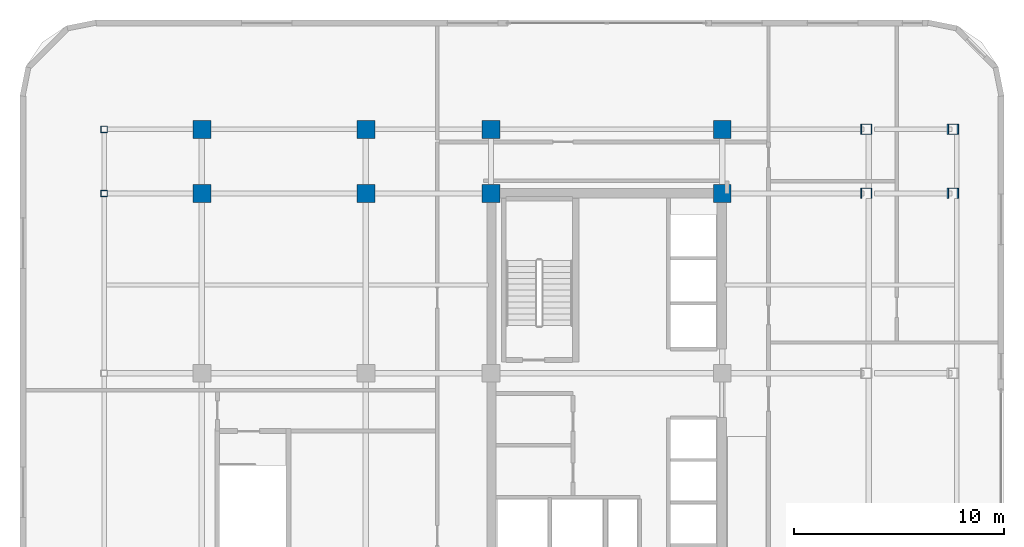
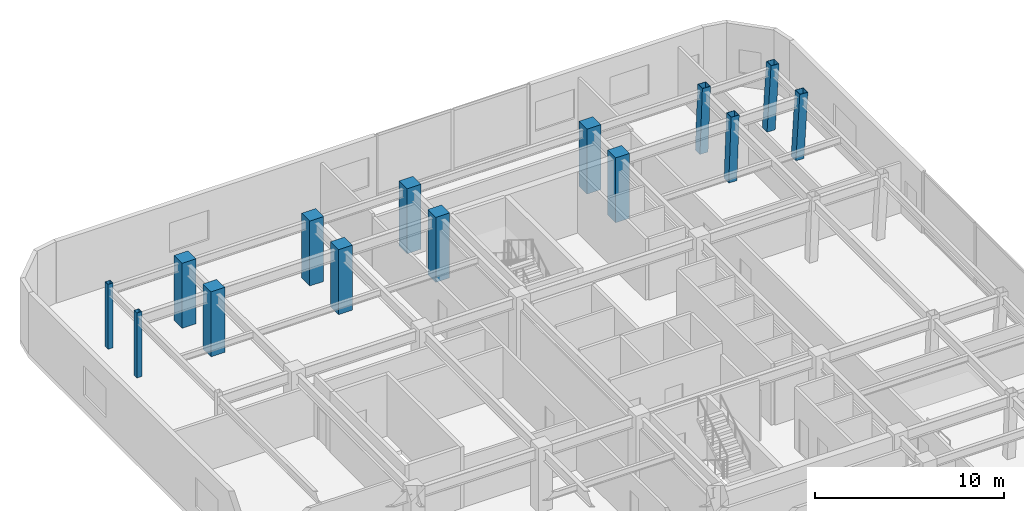
# One storey, part 3 of 13: 14 columns.
"""IFC4 building model written with IfcOpenShell, lengths in metres."""

import ifcopenshell
import ifcopenshell.guid

model = None  # the IFC model being written
_history = None  # IfcOwnerHistory: only IFC2X3 demands one
_inside = {}  # id of a spatial element -> (the spatial element, [elements in it])
_under = {}  # id of a project, library or spatial element -> (it, [spatial elements below it])
_declared = {}  # id of a project -> (the project, [libraries it declares])
_typed = {}  # id of a type object -> (the type object, [elements of that type])
_made_of = {}  # id of a material, layer set ... -> (it, [elements and type objects made of it])


def new_model(schema):
    """Start an empty IFC model of exactly this schema.

    Asked for "IFC4X3", IfcOpenShell would pick the latest addendum, in which some entities
    have other attributes; the version numbers below select the first issue.
    IFC2X3 requires an IfcOwnerHistory on every rooted entity: one is made here for all.
    """
    global model, _history
    if schema == "IFC4X3":
        model = ifcopenshell.file(schema_version=(4, 3, 0, 0))
    else:
        model = ifcopenshell.file(schema=schema)
    _inside.clear()
    _under.clear()
    _declared.clear()
    _typed.clear()
    _made_of.clear()
    _history = None
    if model.schema == "IFC2X3":
        org = make("IfcOrganization", Name="unknown")
        user = make(
            "IfcPersonAndOrganization",
            ThePerson=make("IfcPerson", FamilyName="unknown"),
            TheOrganization=org,
        )
        app = make(
            "IfcApplication",
            ApplicationDeveloper=org,
            Version="unknown",
            ApplicationFullName="unknown",
            ApplicationIdentifier="unknown",
        )
        _history = make(
            "IfcOwnerHistory",
            OwningUser=user,
            OwningApplication=app,
            ChangeAction="ADDED",
            CreationDate=0,
        )
    return model


def make(cls, **values):
    """One entity of the class cls with the attributes given. An attribute that is None is left unset."""
    return model.create_entity(
        cls, **{name: value for name, value in values.items() if value is not None}
    )


def rooted(cls, **values):
    """An entity with a GlobalId (a new one), such as an element, a storey or a relation."""
    return make(cls, GlobalId=ifcopenshell.guid.new(), OwnerHistory=_history, **values)


def si_unit(unit_type, name, prefix=None):
    """IfcSIUnit, for example si_unit("LENGTHUNIT", "METRE", prefix="MILLI")."""
    return make("IfcSIUnit", UnitType=unit_type, Prefix=prefix, Name=name)


def assignment(units):
    """IfcUnitAssignment: the units of a project."""
    return None if units is None else make("IfcUnitAssignment", Units=units)


def point(xyz):
    """IfcCartesianPoint."""
    return None if xyz is None else make("IfcCartesianPoint", Coordinates=xyz)


def direction(xyz):
    """IfcDirection."""
    return None if xyz is None else make("IfcDirection", DirectionRatios=xyz)


def frame(location, z_axis=None, x_axis=None):
    """IfcAxis2Placement3D, a coordinate frame: its origin and axes. An axis left out is left unset."""
    return make(
        "IfcAxis2Placement3D",
        Location=point(location),
        Axis=direction(z_axis),
        RefDirection=direction(x_axis),
    )


def frame_2d(location, x_axis=None):
    """IfcAxis2Placement2D, a coordinate frame in the plane: its origin and x axis."""
    return make(
        "IfcAxis2Placement2D", Location=point(location), RefDirection=direction(x_axis)
    )


def origin():
    """The frame at (0, 0, 0) with its axes left unset."""
    return frame((0.0, 0.0, 0.0))


def origin_2d():
    """The frame at (0, 0) in the plane with its x axis left unset."""
    return frame_2d((0.0, 0.0))


def place(relative_to, where):
    """IfcLocalPlacement: puts the frame where relative to a parent placement (None: the world)."""
    return make(
        "IfcLocalPlacement", PlacementRelTo=relative_to, RelativePlacement=where
    )


def context(
    kind, dimensions, precision=None, world=None, true_north=None, identifier=None
):
    """IfcGeometricRepresentationContext, for example the 3D "Model" context."""
    return make(
        "IfcGeometricRepresentationContext",
        ContextIdentifier=identifier,
        ContextType=kind,
        CoordinateSpaceDimension=dimensions,
        Precision=precision,
        WorldCoordinateSystem=world,
        TrueNorth=true_north,
    )


def subcontext(parent, identifier, kind, view, scale=None):
    """IfcGeometricRepresentationSubContext, for example "Body" below "Model"."""
    return make(
        "IfcGeometricRepresentationSubContext",
        ContextIdentifier=identifier,
        ContextType=kind,
        ParentContext=parent,
        TargetScale=scale,
        TargetView=view,
    )


def project(units=None, contexts=None):
    """IfcProject with its units and contexts."""
    return rooted(
        "IfcProject",
        Name="project",
        RepresentationContexts=contexts,
        UnitsInContext=assignment(units),
    )


def spatial(cls, under=None, at=None, **own):
    """A site, building, storey or space (cls), placed at a placement, below another one or the project."""
    s = rooted(cls, ObjectPlacement=at, **own)
    if under is not None:
        _under.setdefault(under.id(), (under, []))[1].append(s)
    return s


def profile(cls, at=None, kind="AREA", **sizes):
    """A parametric profile (cls). Its sizes go by their IFC names, for example OverallWidth=200.0."""
    return make(cls, ProfileType=kind, Position=at, **sizes)


def rectangle(**sizes):
    """IfcRectangleProfileDef."""
    return profile("IfcRectangleProfileDef", **sizes)


def hollow_rectangle(**sizes):
    """IfcRectangleHollowProfileDef."""
    return profile("IfcRectangleHollowProfileDef", **sizes)


def extrude(swept, where, along, depth):
    """IfcExtrudedAreaSolid: the profile swept, set in the frame where, extruded along a direction by depth."""
    return make(
        "IfcExtrudedAreaSolid",
        SweptArea=swept,
        Position=where,
        ExtrudedDirection=direction(along),
        Depth=depth,
    )


def shape(context_of_items, identifier, shape_type, items):
    """IfcShapeRepresentation: the items that make up one representation, for example the "Body"."""
    return make(
        "IfcShapeRepresentation",
        ContextOfItems=context_of_items,
        RepresentationIdentifier=identifier,
        RepresentationType=shape_type,
        Items=items,
    )


def material(Name=None, Category=None):
    """IfcMaterial."""
    return make("IfcMaterial", Name=Name, Category=Category)


def material_profile(
    of_material, cross_section, Name=None, Category=None, Priority=None
):
    """IfcMaterialProfile: a cross section and its material."""
    return make(
        "IfcMaterialProfile",
        Name=Name,
        Material=of_material,
        Profile=cross_section,
        Priority=Priority,
        Category=Category,
    )


def profile_set(profiles, Name=None, composite=None):
    """IfcMaterialProfileSet."""
    return make(
        "IfcMaterialProfileSet",
        Name=Name,
        MaterialProfiles=profiles,
        CompositeProfile=composite,
    )


def made_of(thing, what):
    """Note that an element or type object is made of a material, layer set ...; save() writes the relation."""
    if what is not None:
        _made_of.setdefault(what.id(), (what, []))[1].append(thing)
    return thing


def type_object(cls, material=None, **own):
    """A type object (cls), such as IfcWallType, which elements share."""
    return made_of(rooted(cls, **own), material)


def element(
    cls,
    number,
    at=None,
    inside=None,
    cuts=None,
    type_object=None,
    material=None,
    context=None,
    identifier="Body",
    shape_type=None,
    held_by="IfcProductDefinitionShape",
    body=None,
    shapes=None,
    **own,
):
    """One element of the class cls, such as IfcWall. Its Tag is "e" and its number.

    at: its placement. inside: the storey or other place that contains it. cuts: it is an
    opening in that element (IfcRelVoidsElement). A single representation is given by context,
    identifier, shape_type and body (its items); several are given by shapes. held_by: the class
    of the entity that holds the representations. save() writes the other relations.
    """
    e = rooted(cls, Tag="e%d" % number, ObjectPlacement=at, **own)
    if body is not None:
        shapes = [shape(context, identifier, shape_type, body)]
    if shapes is not None:
        e.Representation = make(held_by, Representations=shapes)
    if inside is not None:
        _inside.setdefault(inside.id(), (inside, []))[1].append(e)
    if cuts is not None:
        rooted(
            "IfcRelVoidsElement", RelatingBuildingElement=cuts, RelatedOpeningElement=e
        )
    if type_object is not None:
        _typed.setdefault(type_object.id(), (type_object, []))[1].append(e)
    return made_of(e, material)


def aggregate(whole, parts):
    """IfcRelAggregates: a whole, such as a stair, and the parts it consists of."""
    return rooted("IfcRelAggregates", RelatingObject=whole, RelatedObjects=parts)


def save(model, path):
    """Write the relations noted so far, then the file.

    IfcRelAggregates (storeys below a building ...), IfcRelContainedInSpatialStructure (elements
    in a storey), IfcRelDefinesByType, IfcRelAssociatesMaterial and IfcRelDeclares: one each for
    every whole, place, type object, material and project.
    """
    for whole, parts in _under.values():
        aggregate(whole, parts)
    for where, things in _inside.values():
        rooted(
            "IfcRelContainedInSpatialStructure",
            RelatedElements=things,
            RelatingStructure=where,
        )
    for kind, things in _typed.values():
        rooted("IfcRelDefinesByType", RelatedObjects=things, RelatingType=kind)
    for what, things in _made_of.values():
        rooted("IfcRelAssociatesMaterial", RelatedObjects=things, RelatingMaterial=what)
    for by, libraries in _declared.values():
        rooted("IfcRelDeclares", RelatingContext=by, RelatedDefinitions=libraries)
    model.write(path)


model = new_model("IFC4")

# Units and contexts
model_context = context("Model", 3, precision=1e-05, world=origin(), true_north=direction((0.0, 1.0)))
body_context = subcontext(model_context, "Body", "Model", "MODEL_VIEW")
ifc_project = project(units=[si_unit("LENGTHUNIT", "METRE"), si_unit("AREAUNIT", "SQUARE_METRE"), si_unit("VOLUMEUNIT", "CUBIC_METRE"), si_unit("PLANEANGLEUNIT", "RADIAN"), si_unit("MASSUNIT", "GRAM", prefix="KILO")], contexts=[model_context])

# Site, building, storey
site_placement = place(None, origin())
site = spatial("IfcSite", under=ifc_project, at=site_placement, CompositionType="ELEMENT")
building_placement = place(site_placement, origin())
building = spatial("IfcBuilding", under=site, at=building_placement, Name="Ochreholt Gables", CompositionType="ELEMENT")
storey_placement = place(building_placement, frame((0.0, 0.0, 60.0)))
storey = spatial("IfcBuildingStorey", under=building, at=storey_placement, Name="L15", CompositionType="ELEMENT", Elevation=60.0)

# Columns
ifc_material_1 = material(Name="Steel CSA G40.21 350W", Category="steel")
ifc_material_profile_1 = material_profile(ifc_material_1, hollow_rectangle(XDim=0.304931640625, YDim=0.304931640625, WallThickness=0.0126953125, at=origin_2d()), Name="HSS305X305X13")
ifc_profile_set_1 = profile_set([ifc_material_profile_1], Name="Steel CSA G40.21 350W")
column_type_1 = type_object("IfcColumnType", Name="COL-HSS305-EXT", PredefinedType="COLUMN", material=ifc_profile_set_1)
for number, where, z_axis, x_axis, name in (
    (1, (5.800048828125, 38.75, 0.0), (0.0, 0.0, 1.0), (1.0, 0.0, 0.0), "L15 Column WTY5"),
    (2, (5.800048828125, 41.800048828125, 0.0), (0.0, 0.0, 1.0), (1.0, 0.0, 0.0), "L15 Column WTY6"),
):
    element("IfcColumn", number, at=place(storey_placement, frame(where, z_axis=z_axis, x_axis=x_axis)), inside=storey, type_object=column_type_1, Name=name, PredefinedType="COLUMN", context=body_context, shape_type="SweptSolid", body=[
        extrude(hollow_rectangle(XDim=0.304931640625, YDim=0.304931640625, WallThickness=0.0126953125, at=origin_2d()), origin(), (0.0, 0.0, 1.0), 4.199951171875),
    ])
ifc_material_profile_2 = material_profile(ifc_material_1, hollow_rectangle(XDim=0.5, YDim=0.5, WallThickness=0.02197265625, at=origin_2d()), Name="HSS500X500X22")
ifc_profile_set_2 = profile_set([ifc_material_profile_2], Name="Steel CSA G40.21 350W")
column_type_2 = type_object("IfcColumnType", Name="COL-HSS500-RAK", PredefinedType="COLUMN", material=ifc_profile_set_2)
column_1_placement = place(storey_placement, frame((42.035888671875, 38.75, 0.0), z_axis=(0.035030512392, 0.0, 0.999386243252), x_axis=(0.0, 1.0, 0.0)))
element("IfcColumn", 3, at=column_1_placement, inside=storey, type_object=column_type_2, Name="L15 Column EMY5", PredefinedType="COLUMN", context=body_context, shape_type="SweptSolid", body=[
    extrude(hollow_rectangle(XDim=0.5, YDim=0.5, WallThickness=0.02197265625, at=origin_2d()), origin(), (0.0, 0.0, 1.0), 4.20263671875),
])
ifc_material_profile_3 = material_profile(ifc_material_1, hollow_rectangle(XDim=0.5, YDim=0.5, WallThickness=0.02197265625, at=origin_2d()), Name="HSS500X500X22")
ifc_profile_set_3 = profile_set([ifc_material_profile_3], Name="Steel CSA G40.21 350W")
column_type_3 = type_object("IfcColumnType", Name="COL-HSS500-RAKE", PredefinedType="COLUMN", material=ifc_profile_set_3)
column_2_placement = place(storey_placement, frame((42.035888671875, 41.800048828125, 0.0), z_axis=(0.035030512392, 0.0, 0.999386243252), x_axis=(0.0, 1.0, 0.0)))
element("IfcColumn", 4, at=column_2_placement, inside=storey, type_object=column_type_3, Name="L15 Column EMY6", PredefinedType="COLUMN", context=body_context, shape_type="SweptSolid", body=[
    extrude(hollow_rectangle(XDim=0.5, YDim=0.5, WallThickness=0.02197265625, at=origin_2d()), origin(), (0.0, 0.0, 1.0), 4.20263671875),
])
for number, where, z_axis, x_axis, name in (
    (5, (46.13671875, 38.75, 0.0), (0.057915760662, 0.0, 0.998321473608), (0.0, 1.0, 0.0), "L15 Column EEY5"),
    (6, (46.13671875, 41.800048828125, 0.0), (0.057915760662, 0.0, 0.998321473608), (0.0, 1.0, 0.0), "L15 Column EEY6"),
):
    element("IfcColumn", number, at=place(storey_placement, frame(where, z_axis=z_axis, x_axis=x_axis)), inside=storey, type_object=column_type_3, Name=name, PredefinedType="COLUMN", context=body_context, shape_type="SweptSolid", body=[
        extrude(hollow_rectangle(XDim=0.5, YDim=0.5, WallThickness=0.02197265625, at=origin_2d()), origin(), (0.0, 0.0, 1.0), 4.20703125),
    ])
ifc_material_2 = material(Name="Concrete 60 MPa", Category="concrete")
ifc_material_profile_4 = material_profile(ifc_material_2, rectangle(XDim=0.85009765625, YDim=0.85009765625, at=origin_2d()), Name="RC850X850")
ifc_profile_set_4 = profile_set([ifc_material_profile_4], Name="Concrete 60 MPa")
column_type_4 = type_object("IfcColumnType", Name="COL-RC850-EXT", PredefinedType="COLUMN", material=ifc_profile_set_4)
for number, where, z_axis, x_axis, name in (
    (7, (10.449951171875, 41.800048828125, 0.0), (0.0, 0.0, 1.0), (1.0, 0.0, 0.0), "L15 Column W2Y6"),
    (8, (18.25, 41.800048828125, 0.0), (0.0, 0.0, 1.0), (1.0, 0.0, 0.0), "L15 Column W3Y6"),
    (9, (24.199951171875, 41.800048828125, 0.0), (0.0, 0.0, 1.0), (1.0, 0.0, 0.0), "L15 Column C1Y6"),
    (10, (35.199951171875, 41.800048828125, 0.0), (0.0, 0.0, 1.0), (1.0, 0.0, 0.0), "L15 Column C2Y6"),
):
    element("IfcColumn", number, at=place(storey_placement, frame(where, z_axis=z_axis, x_axis=x_axis)), inside=storey, type_object=column_type_4, Name=name, PredefinedType="COLUMN", context=body_context, shape_type="SweptSolid", body=[
        extrude(rectangle(XDim=0.85009765625, YDim=0.85009765625, at=origin_2d()), origin(), (0.0, 0.0, 1.0), 4.199951171875),
    ])
ifc_material_profile_5 = material_profile(ifc_material_2, rectangle(XDim=0.85009765625, YDim=0.85009765625, at=origin_2d()), Name="RC850X850")
ifc_profile_set_5 = profile_set([ifc_material_profile_5], Name="Concrete 60 MPa")
column_type_5 = type_object("IfcColumnType", Name="COL-RC850-INT", PredefinedType="COLUMN", material=ifc_profile_set_5)
for number, where, z_axis, x_axis, name in (
    (11, (10.449951171875, 38.75, 0.0), (0.0, 0.0, 1.0), (1.0, 0.0, 0.0), "L15 Column W2Y5"),
    (12, (18.25, 38.75, 0.0), (0.0, 0.0, 1.0), (1.0, 0.0, 0.0), "L15 Column W3Y5"),
    (13, (24.199951171875, 38.75, 0.0), (0.0, 0.0, 1.0), (1.0, 0.0, 0.0), "L15 Column C1Y5"),
    (14, (35.199951171875, 38.75, 0.0), (0.0, 0.0, 1.0), (1.0, 0.0, 0.0), "L15 Column C2Y5"),
):
    element("IfcColumn", number, at=place(storey_placement, frame(where, z_axis=z_axis, x_axis=x_axis)), inside=storey, type_object=column_type_5, Name=name, PredefinedType="COLUMN", context=body_context, shape_type="SweptSolid", body=[
        extrude(rectangle(XDim=0.85009765625, YDim=0.85009765625, at=origin_2d()), origin(), (0.0, 0.0, 1.0), 4.199951171875),
    ])

save(model, "model.ifc")
